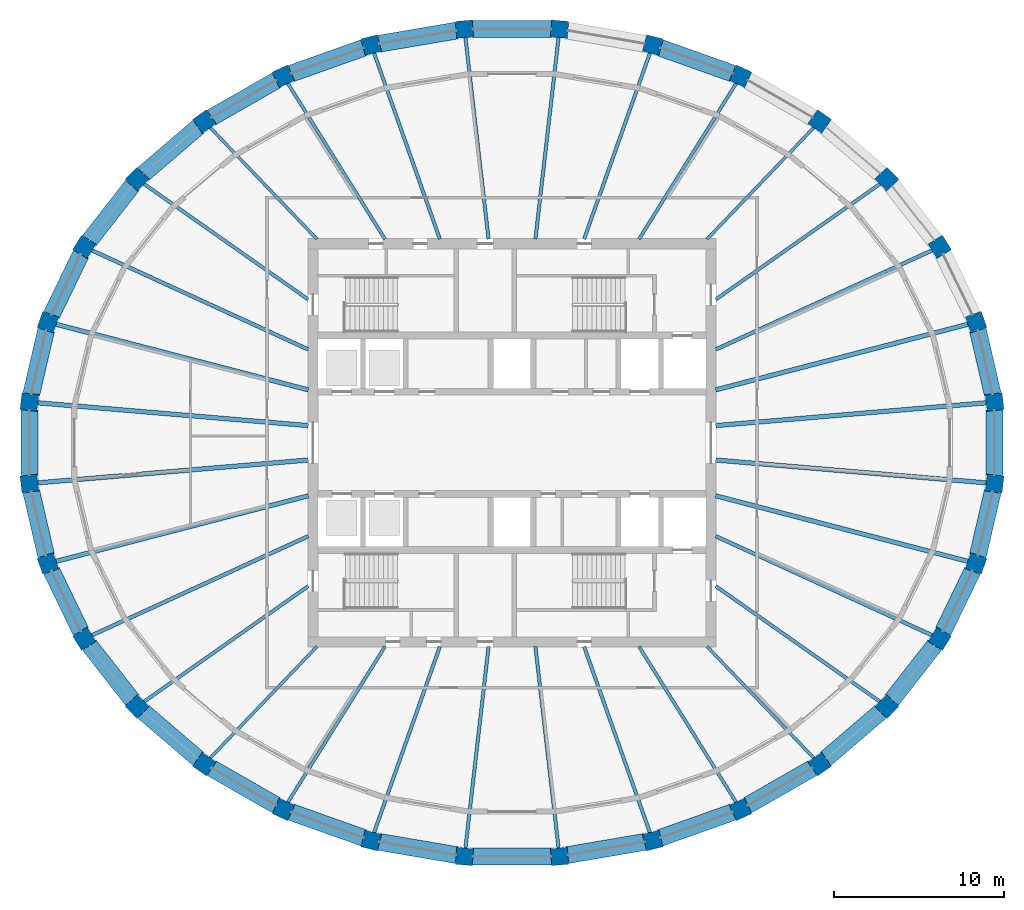
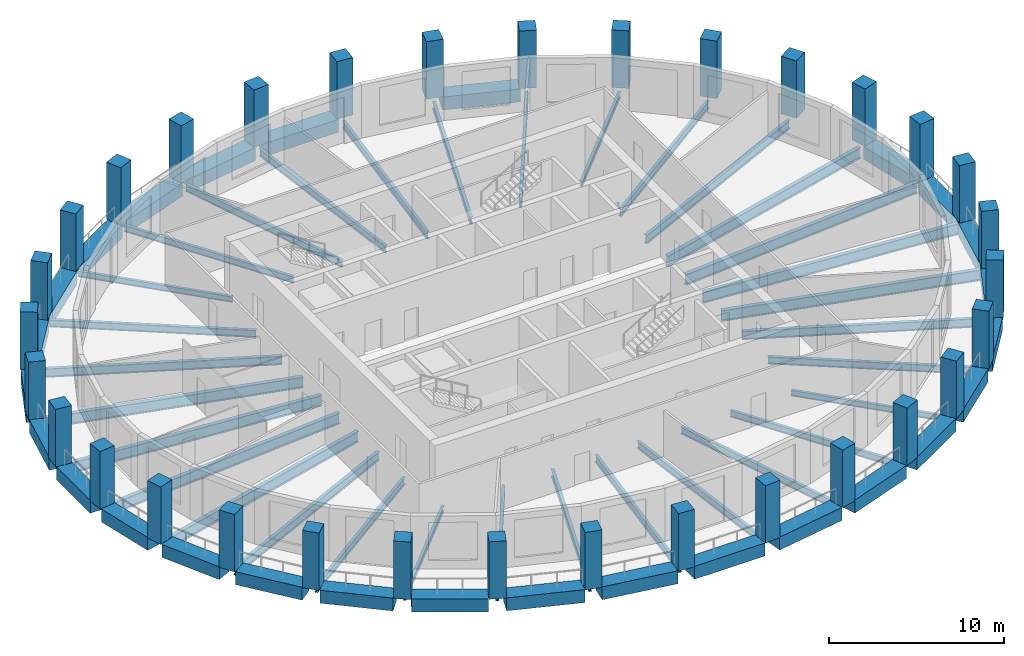
# One storey, part 1 of 10: 59 beams, 32 columns.
"""IFC4 building model written with IfcOpenShell, lengths in metres."""

from ifc_helpers import new_model, si_unit, direction, frame, origin, origin_2d, place, context, subcontext, project, spatial, rectangle, i_section, extrude, material, material_profile, profile_set, type_object, element, save


model = new_model("IFC4")

# Units and contexts
model_context = context("Model", 3, precision=1e-05, world=origin(), true_north=direction((0.0, 1.0)))
body_context = subcontext(model_context, "Body", "Model", "MODEL_VIEW")
ifc_project = project(units=[si_unit("LENGTHUNIT", "METRE"), si_unit("AREAUNIT", "SQUARE_METRE"), si_unit("VOLUMEUNIT", "CUBIC_METRE"), si_unit("PLANEANGLEUNIT", "RADIAN"), si_unit("MASSUNIT", "GRAM", prefix="KILO")], contexts=[model_context])

# Site, building, storey
site_placement = place(None, origin())
site = spatial("IfcSite", under=ifc_project, at=site_placement, CompositionType="ELEMENT")
building_placement = place(site_placement, origin())
building = spatial("IfcBuilding", under=site, at=building_placement, Name="Halqa Exchange Tower", CompositionType="ELEMENT")
storey_placement = place(building_placement, frame((0.0, 0.0, 320.300048828125)))
storey = spatial("IfcBuildingStorey", under=building, at=storey_placement, Name="L75", CompositionType="ELEMENT", Elevation=320.300048828125)

# Columns
ifc_material_1 = material(Name="Concrete C50/60", Category="concrete")
ifc_material_profile_1 = material_profile(ifc_material_1, rectangle(XDim=1.0, YDim=1.0, at=origin_2d()), Name="1000 x 1000")
ifc_profile_set_1 = profile_set([ifc_material_profile_1], Name="Concrete C50/60")
column_type = type_object("IfcColumnType", Name="RC ring column 1000 x 1000 C50/60", PredefinedType="COLUMN", material=ifc_profile_set_1)
for number, where, z_axis, x_axis, name in (
    (1, (28.36279296875, 2.394287109375, 0.0), (0.0, 0.0, 1.0), (-0.114160389816, 0.993462332148, 0.0), "Ring column 1"),
    (2, (27.272705078125, 7.09130859375, 0.0), (0.0, 0.0, 1.0), (-0.333624233576, 0.942706142321, 0.0), "Ring column 2"),
    (3, (25.134765625, 11.515625, 0.0), (0.0, 0.0, 1.0), (-0.529140496257, 0.848534227489, 0.0), "Ring column 3"),
    (4, (22.03076171875, 15.497314453125, 0.0), (0.0, 0.0, 1.0), (-0.691578612608, 0.722301199351, 0.0), "Ring column 4"),
    (5, (18.080078125, 18.883544921875, 0.0), (0.0, 0.0, 1.0), (-0.817906779671, 0.575350762377, 0.0), "Ring column 5"),
    (6, (13.434814453125, 21.544189453125, 0.0), (0.0, 0.0, 1.0), (-0.909128549752, 0.416515641994, 0.0), "Ring column 6"),
    (7, (8.273193359375, 23.376708984375, 0.0), (0.0, 0.0, 1.0), (-0.967819064366, 0.251647091481, 0.0), "Ring column 7"),
    (8, (2.79345703125, 24.31103515625, 0.0), (0.0, 0.0, 1.0), (-0.996455078514, 0.084126550533, 0.0), "Ring column 8"),
    (9, (-2.79345703125, 24.31103515625, 0.0), (0.0, 0.0, 1.0), (-0.996455078514, -0.084126550533, 0.0), "Ring column 9"),
    (10, (-8.273193359375, 23.376708984375, 0.0), (0.0, 0.0, 1.0), (-0.967819064366, -0.251647091481, 0.0), "Ring column 10"),
    (11, (-13.434814453125, 21.544189453125, 0.0), (0.0, 0.0, 1.0), (-0.909128549752, -0.416515641994, 0.0), "Ring column 11"),
    (12, (-18.080078125, 18.883544921875, 0.0), (0.0, 0.0, 1.0), (-0.817906779671, -0.575350762377, 0.0), "Ring column 12"),
    (13, (-22.03076171875, 15.497314453125, 0.0), (0.0, 0.0, 1.0), (-0.691578612608, -0.722301199351, 0.0), "Ring column 13"),
    (14, (-25.134765625, 11.515625, 0.0), (0.0, 0.0, 1.0), (-0.529140496257, -0.848534227489, 0.0), "Ring column 14"),
    (15, (-27.272705078125, 7.09130859375, 0.0), (0.0, 0.0, 1.0), (-0.333624233576, -0.942706142321, 0.0), "Ring column 15"),
    (16, (-28.36279296875, 2.394287109375, 0.0), (0.0, 0.0, 1.0), (-0.114160389816, -0.993462332148, 0.0), "Ring column 16"),
    (17, (-28.36279296875, -2.394287109375, 0.0), (0.0, 0.0, 1.0), (0.114160389816, -0.993462332148, 0.0), "Ring column 17"),
    (18, (-27.272705078125, -7.09130859375, 0.0), (0.0, 0.0, 1.0), (0.333624233576, -0.942706142321, 0.0), "Ring column 18"),
    (19, (-25.134765625, -11.515625, 0.0), (0.0, 0.0, 1.0), (0.529140496257, -0.848534227489, 0.0), "Ring column 19"),
    (20, (-22.03076171875, -15.497314453125, 0.0), (0.0, 0.0, 1.0), (0.691578612608, -0.722301199351, 0.0), "Ring column 20"),
    (21, (-18.080078125, -18.883544921875, 0.0), (0.0, 0.0, 1.0), (0.817906779671, -0.575350762377, 0.0), "Ring column 21"),
    (22, (-13.434814453125, -21.544189453125, 0.0), (0.0, 0.0, 1.0), (0.909128549752, -0.416515641994, 0.0), "Ring column 22"),
    (23, (-8.273193359375, -23.376708984375, 0.0), (0.0, 0.0, 1.0), (0.967819064366, -0.251647091481, 0.0), "Ring column 23"),
    (24, (-2.79345703125, -24.31103515625, 0.0), (0.0, 0.0, 1.0), (0.996455078514, -0.084126550533, 0.0), "Ring column 24"),
    (25, (2.79345703125, -24.31103515625, 0.0), (0.0, 0.0, 1.0), (0.996455078514, 0.084126550533, 0.0), "Ring column 25"),
    (26, (8.273193359375, -23.376708984375, 0.0), (0.0, 0.0, 1.0), (0.967819064366, 0.251647091481, 0.0), "Ring column 26"),
    (27, (13.434814453125, -21.544189453125, 0.0), (0.0, 0.0, 1.0), (0.909128549752, 0.416515641994, 0.0), "Ring column 27"),
    (28, (18.080078125, -18.883544921875, 0.0), (0.0, 0.0, 1.0), (0.817906779671, 0.575350762377, 0.0), "Ring column 28"),
    (29, (22.03076171875, -15.497314453125, 0.0), (0.0, 0.0, 1.0), (0.691578612608, 0.722301199351, 0.0), "Ring column 29"),
    (30, (25.134765625, -11.515625, 0.0), (0.0, 0.0, 1.0), (0.529140496257, 0.848534227489, 0.0), "Ring column 30"),
    (31, (27.272705078125, -7.09130859375, 0.0), (0.0, 0.0, 1.0), (0.333624233576, 0.942706142321, 0.0), "Ring column 31"),
    (32, (28.36279296875, -2.394287109375, 0.0), (0.0, 0.0, 1.0), (0.114160389816, 0.993462332148, 0.0), "Ring column 32"),
):
    element("IfcColumn", number, at=place(storey_placement, frame(where, z_axis=z_axis, x_axis=x_axis)), inside=storey, type_object=column_type, Name=name, PredefinedType="COLUMN", context=body_context, shape_type="SweptSolid", body=[
        extrude(rectangle(XDim=1.0, YDim=1.0, at=origin_2d()), origin(), (0.0, 0.0, 1.0), 4.0),
    ])

# Beams
ifc_material_2 = material(Name="Steel S355", Category="steel")
ifc_material_profile_2 = material_profile(ifc_material_2, i_section(OverallWidth=0.179931640625, OverallDepth=0.39990234375, WebThickness=0.008544921875, FlangeThickness=0.013427734375, FilletRadius=0.02099609375, at=origin_2d()), Name="IPE 400")
ifc_profile_set_2 = profile_set([ifc_material_profile_2], Name="Steel S355")
beam_type_1 = type_object("IfcBeamType", Name="Floor beam IPE 400", PredefinedType="BEAM", material=ifc_profile_set_2)
for number, where, z_axis, x_axis, name in (
    (33, (11.46240234375, 11.9716796875, -0.5), (0.691577100122, 0.722302647501, 0.0), (-0.722302647501, 0.691577100122, 0.0), "Radial beam 5"),
    (34, (-11.46240234375, 11.9716796875, -0.5), (-0.691577100122, 0.722302647501, 0.0), (-0.722302647501, -0.691577100122, 0.0), "Radial beam 12"),
    (35, (-11.46240234375, -11.9716796875, -0.5), (-0.691577100122, -0.722302647501, 0.0), (0.722302647501, -0.691577100122, 0.0), "Radial beam 21"),
    (36, (11.46240234375, -11.9716796875, -0.5), (0.691577100122, -0.722302647501, 0.0), (0.722302647501, 0.691577100122, 0.0), "Radial beam 28"),
):
    element("IfcBeam", number, at=place(storey_placement, frame(where, z_axis=z_axis, x_axis=x_axis)), inside=storey, type_object=beam_type_1, Name=name, PredefinedType="BEAM", context=body_context, shape_type="SweptSolid", body=[
        extrude(i_section(OverallWidth=0.179931640625, OverallDepth=0.39990234375, WebThickness=0.008544921875, FlangeThickness=0.013427734375, FilletRadius=0.02099609375, at=origin_2d()), origin(), (0.0, 0.0, 1.0), 9.193359375),
    ])
ifc_material_profile_3 = material_profile(ifc_material_2, i_section(OverallWidth=0.18994140625, OverallDepth=0.449951171875, WebThickness=0.009521484375, FlangeThickness=0.0146484375, FilletRadius=0.02099609375, at=origin_2d()), Name="IPE 450")
ifc_profile_set_3 = profile_set([ifc_material_profile_3], Name="Steel S355")
beam_type_2 = type_object("IfcBeamType", Name="Floor beam IPE 450", PredefinedType="BEAM", material=ifc_profile_set_3)
for number, where, z_axis, x_axis, name in (
    (37, (7.46630859375, 11.972900390625, -0.525146484375), (0.529135242535, 0.848537503654, 0.0), (-0.848537503654, 0.529135242535, 0.0), "Radial beam 6"),
    (38, (-7.46630859375, 11.972900390625, -0.525146484375), (-0.529135242535, 0.848537503654, 0.0), (-0.848537503654, -0.529135242535, 0.0), "Radial beam 11"),
    (39, (-7.46630859375, -11.972900390625, -0.525146484375), (-0.529135242535, -0.848537503654, 0.0), (0.848537503654, -0.529135242535, 0.0), "Radial beam 22"),
    (40, (7.46630859375, -11.972900390625, -0.525146484375), (0.529135242535, -0.848537503654, 0.0), (0.848537503654, 0.529135242535, 0.0), "Radial beam 27"),
):
    element("IfcBeam", number, at=place(storey_placement, frame(where, z_axis=z_axis, x_axis=x_axis)), inside=storey, type_object=beam_type_2, Name=name, PredefinedType="BEAM", context=body_context, shape_type="SweptSolid", body=[
        extrude(i_section(OverallWidth=0.18994140625, OverallDepth=0.449951171875, WebThickness=0.009521484375, FlangeThickness=0.0146484375, FilletRadius=0.02099609375, at=origin_2d()), origin(), (0.0, 0.0, 1.0), 10.90380859375),
    ])
ifc_material_profile_4 = material_profile(ifc_material_2, i_section(OverallWidth=0.199951171875, OverallDepth=0.5, WebThickness=0.01025390625, FlangeThickness=0.01611328125, FilletRadius=0.02099609375, at=origin_2d()), Name="IPE 500")
ifc_profile_set_4 = profile_set([ifc_material_profile_4], Name="Steel S355")
beam_type_3 = type_object("IfcBeamType", Name="Floor beam IPE 500", PredefinedType="BEAM", material=ifc_profile_set_4)
beam_1_placement = place(storey_placement, frame((11.971435546875, 8.421142578125, -0.550048828125), z_axis=(0.817909915289, 0.575346304822, 0.0), x_axis=(-0.575346304822, 0.817909915289, 0.0)))
element("IfcBeam", 41, at=beam_1_placement, inside=storey, type_object=beam_type_3, Name="Radial beam 4", PredefinedType="BEAM", context=body_context, shape_type="SweptSolid", body=[
    extrude(i_section(OverallWidth=0.199951171875, OverallDepth=0.5, WebThickness=0.01025390625, FlangeThickness=0.01611328125, FilletRadius=0.02099609375, at=origin_2d()), origin(), (0.0, 0.0, 1.0), 11.923095703125),
])
beam_2_placement = place(storey_placement, frame((4.237060546875, 11.97216796875, -0.550048828125), z_axis=(0.333610824629, 0.942710887648, 0.0), x_axis=(-0.942710887648, 0.333610824629, 0.0)))
element("IfcBeam", 42, at=beam_2_placement, inside=storey, type_object=beam_type_3, Name="Radial beam 7", PredefinedType="BEAM", context=body_context, shape_type="SweptSolid", body=[
    extrude(i_section(OverallWidth=0.199951171875, OverallDepth=0.5, WebThickness=0.01025390625, FlangeThickness=0.01611328125, FilletRadius=0.02099609375, at=origin_2d()), origin(), (0.0, 0.0, 1.0), 11.7236328125),
])
for number, where, z_axis, x_axis, name in (
    (43, (1.37548828125, 11.97119140625, -0.550048828125), (0.114158031936, 0.993462603093, 0.0), (-0.993462603093, 0.114158031936, 0.0), "Radial beam 8"),
    (44, (-1.37548828125, 11.97119140625, -0.550048828125), (-0.114158031936, 0.993462603093, 0.0), (-0.993462603093, -0.114158031936, 0.0), "Radial beam 9"),
):
    element("IfcBeam", number, at=place(storey_placement, frame(where, z_axis=z_axis, x_axis=x_axis)), inside=storey, type_object=beam_type_3, Name=name, PredefinedType="BEAM", context=body_context, shape_type="SweptSolid", body=[
        extrude(i_section(OverallWidth=0.199951171875, OverallDepth=0.5, WebThickness=0.01025390625, FlangeThickness=0.01611328125, FilletRadius=0.02099609375, at=origin_2d()), origin(), (0.0, 0.0, 1.0), 12.049072265625),
    ])
beam_3_placement = place(storey_placement, frame((-4.237060546875, 11.97216796875, -0.550048828125), z_axis=(-0.333610824629, 0.942710887648, 0.0), x_axis=(-0.942710887648, -0.333610824629, 0.0)))
element("IfcBeam", 45, at=beam_3_placement, inside=storey, type_object=beam_type_3, Name="Radial beam 10", PredefinedType="BEAM", context=body_context, shape_type="SweptSolid", body=[
    extrude(i_section(OverallWidth=0.199951171875, OverallDepth=0.5, WebThickness=0.01025390625, FlangeThickness=0.01611328125, FilletRadius=0.02099609375, at=origin_2d()), origin(), (0.0, 0.0, 1.0), 11.7236328125),
])
for number, where, z_axis, x_axis, name in (
    (46, (-11.971435546875, 8.421142578125, -0.550048828125), (-0.817909915289, 0.575346304822, 0.0), (-0.575346304822, -0.817909915289, 0.0), "Radial beam 13"),
    (47, (-11.971435546875, -8.421142578125, -0.550048828125), (-0.817909915289, -0.575346304822, 0.0), (0.575346304822, -0.817909915289, 0.0), "Radial beam 20"),
):
    element("IfcBeam", number, at=place(storey_placement, frame(where, z_axis=z_axis, x_axis=x_axis)), inside=storey, type_object=beam_type_3, Name=name, PredefinedType="BEAM", context=body_context, shape_type="SweptSolid", body=[
        extrude(i_section(OverallWidth=0.199951171875, OverallDepth=0.5, WebThickness=0.01025390625, FlangeThickness=0.01611328125, FilletRadius=0.02099609375, at=origin_2d()), origin(), (0.0, 0.0, 1.0), 11.923095703125),
    ])
beam_4_placement = place(storey_placement, frame((-4.237060546875, -11.97216796875, -0.550048828125), z_axis=(-0.333610824629, -0.942710887648, 0.0), x_axis=(0.942710887648, -0.333610824629, 0.0)))
element("IfcBeam", 48, at=beam_4_placement, inside=storey, type_object=beam_type_3, Name="Radial beam 23", PredefinedType="BEAM", context=body_context, shape_type="SweptSolid", body=[
    extrude(i_section(OverallWidth=0.199951171875, OverallDepth=0.5, WebThickness=0.01025390625, FlangeThickness=0.01611328125, FilletRadius=0.02099609375, at=origin_2d()), origin(), (0.0, 0.0, 1.0), 11.7236328125),
])
for number, where, z_axis, x_axis, name in (
    (49, (-1.37548828125, -11.97119140625, -0.550048828125), (-0.114158031936, -0.993462603093, 0.0), (0.993462603093, -0.114158031936, 0.0), "Radial beam 24"),
    (50, (1.37548828125, -11.97119140625, -0.550048828125), (0.114158031936, -0.993462603093, 0.0), (0.993462603093, 0.114158031936, 0.0), "Radial beam 25"),
):
    element("IfcBeam", number, at=place(storey_placement, frame(where, z_axis=z_axis, x_axis=x_axis)), inside=storey, type_object=beam_type_3, Name=name, PredefinedType="BEAM", context=body_context, shape_type="SweptSolid", body=[
        extrude(i_section(OverallWidth=0.199951171875, OverallDepth=0.5, WebThickness=0.01025390625, FlangeThickness=0.01611328125, FilletRadius=0.02099609375, at=origin_2d()), origin(), (0.0, 0.0, 1.0), 12.049072265625),
    ])
beam_5_placement = place(storey_placement, frame((4.237060546875, -11.97216796875, -0.550048828125), z_axis=(0.333610824629, -0.942710887648, 0.0), x_axis=(0.942710887648, 0.333610824629, 0.0)))
element("IfcBeam", 51, at=beam_5_placement, inside=storey, type_object=beam_type_3, Name="Radial beam 26", PredefinedType="BEAM", context=body_context, shape_type="SweptSolid", body=[
    extrude(i_section(OverallWidth=0.199951171875, OverallDepth=0.5, WebThickness=0.01025390625, FlangeThickness=0.01611328125, FilletRadius=0.02099609375, at=origin_2d()), origin(), (0.0, 0.0, 1.0), 11.7236328125),
])
beam_6_placement = place(storey_placement, frame((11.971435546875, -8.421142578125, -0.550048828125), z_axis=(0.817909915289, -0.575346304822, 0.0), x_axis=(0.575346304822, 0.817909915289, 0.0)))
element("IfcBeam", 52, at=beam_6_placement, inside=storey, type_object=beam_type_3, Name="Radial beam 29", PredefinedType="BEAM", context=body_context, shape_type="SweptSolid", body=[
    extrude(i_section(OverallWidth=0.199951171875, OverallDepth=0.5, WebThickness=0.01025390625, FlangeThickness=0.01611328125, FilletRadius=0.02099609375, at=origin_2d()), origin(), (0.0, 0.0, 1.0), 11.923095703125),
])
ifc_material_profile_5 = material_profile(ifc_material_2, i_section(OverallWidth=0.219970703125, OverallDepth=0.60009765625, WebThickness=0.011962890625, FlangeThickness=0.01904296875, FilletRadius=0.02392578125, at=origin_2d()), Name="IPE 600")
ifc_profile_set_5 = profile_set([ifc_material_profile_5], Name="Steel S355")
beam_type_4 = type_object("IfcBeamType", Name="Floor beam IPE 600", PredefinedType="BEAM", material=ifc_profile_set_5)
for number, where, z_axis, x_axis, name in (
    (53, (11.97216796875, 5.485107421875, -0.60009765625), (0.909129837919, 0.416512830302, 0.0), (-0.416512830302, 0.909129837919, 0.0), "Radial beam 3"),
    (54, (-11.97216796875, 5.485107421875, -0.60009765625), (-0.909129837919, 0.416512830302, 0.0), (-0.416512830302, -0.909129837919, 0.0), "Radial beam 14"),
    (55, (-11.97216796875, -5.485107421875, -0.60009765625), (-0.909129837919, -0.416512830302, 0.0), (0.416512830302, -0.909129837919, 0.0), "Radial beam 19"),
    (56, (11.97216796875, -5.485107421875, -0.60009765625), (0.909129837919, -0.416512830302, 0.0), (0.416512830302, 0.909129837919, 0.0), "Radial beam 30"),
):
    element("IfcBeam", number, at=place(storey_placement, frame(where, z_axis=z_axis, x_axis=x_axis)), inside=storey, type_object=beam_type_4, Name=name, PredefinedType="BEAM", context=body_context, shape_type="SweptSolid", body=[
        extrude(i_section(OverallWidth=0.219970703125, OverallDepth=0.60009765625, WebThickness=0.011962890625, FlangeThickness=0.01904296875, FilletRadius=0.02392578125, at=origin_2d()), origin(), (0.0, 0.0, 1.0), 14.102294921875),
    ])
ifc_material_profile_6 = material_profile(ifc_material_2, i_section(OverallWidth=0.264892578125, OverallDepth=0.7529296875, WebThickness=0.01318359375, FlangeThickness=0.01708984375, FilletRadius=0.01708984375, at=origin_2d()), Name="IPE 750x147")
ifc_profile_set_6 = profile_set([ifc_material_profile_6], Name="Steel S355")
beam_type_5 = type_object("IfcBeamType", Name="Floor beam IPE 750x147", PredefinedType="BEAM", material=ifc_profile_set_6)
beam_7_placement = place(storey_placement, frame((11.972900390625, 1.0107421875, -0.676513671875), z_axis=(0.996455843657, 0.08411748713, 0.0), x_axis=(-0.08411748713, 0.996455843657, 0.0)))
element("IfcBeam", 57, at=beam_7_placement, inside=storey, type_object=beam_type_5, Name="Radial beam 1", PredefinedType="BEAM", context=body_context, shape_type="SweptSolid", body=[
    extrude(i_section(OverallWidth=0.264892578125, OverallDepth=0.7529296875, WebThickness=0.01318359375, FlangeThickness=0.01708984375, FilletRadius=0.01708984375, at=origin_2d()), origin(), (0.0, 0.0, 1.0), 16.076171875),
])
for number, where, z_axis, x_axis, name in (
    (58, (11.97265625, 3.113037109375, -0.676513671875), (0.967821042963, 0.251639481794, 0.0), (-0.251639481794, 0.967821042963, 0.0), "Radial beam 2"),
    (59, (-11.97265625, 3.113037109375, -0.676513671875), (-0.967821042963, 0.251639481794, 0.0), (-0.251639481794, -0.967821042963, 0.0), "Radial beam 15"),
):
    element("IfcBeam", number, at=place(storey_placement, frame(where, z_axis=z_axis, x_axis=x_axis)), inside=storey, type_object=beam_type_5, Name=name, PredefinedType="BEAM", context=body_context, shape_type="SweptSolid", body=[
        extrude(i_section(OverallWidth=0.264892578125, OverallDepth=0.7529296875, WebThickness=0.01318359375, FlangeThickness=0.01708984375, FilletRadius=0.01708984375, at=origin_2d()), origin(), (0.0, 0.0, 1.0), 15.434814453125),
    ])
for number, where, z_axis, x_axis, name in (
    (60, (-11.972900390625, 1.0107421875, -0.676513671875), (-0.996455843657, 0.08411748713, 0.0), (-0.08411748713, -0.996455843657, 0.0), "Radial beam 16"),
    (61, (-11.972900390625, -1.0107421875, -0.676513671875), (-0.996455843657, -0.08411748713, 0.0), (0.08411748713, -0.996455843657, 0.0), "Radial beam 17"),
):
    element("IfcBeam", number, at=place(storey_placement, frame(where, z_axis=z_axis, x_axis=x_axis)), inside=storey, type_object=beam_type_5, Name=name, PredefinedType="BEAM", context=body_context, shape_type="SweptSolid", body=[
        extrude(i_section(OverallWidth=0.264892578125, OverallDepth=0.7529296875, WebThickness=0.01318359375, FlangeThickness=0.01708984375, FilletRadius=0.01708984375, at=origin_2d()), origin(), (0.0, 0.0, 1.0), 16.076171875),
    ])
for number, where, z_axis, x_axis, name in (
    (62, (-11.97265625, -3.113037109375, -0.676513671875), (-0.967821042963, -0.251639481794, 0.0), (0.251639481794, -0.967821042963, 0.0), "Radial beam 18"),
    (63, (11.97265625, -3.113037109375, -0.676513671875), (0.967821042963, -0.251639481794, 0.0), (0.251639481794, 0.967821042963, 0.0), "Radial beam 31"),
):
    element("IfcBeam", number, at=place(storey_placement, frame(where, z_axis=z_axis, x_axis=x_axis)), inside=storey, type_object=beam_type_5, Name=name, PredefinedType="BEAM", context=body_context, shape_type="SweptSolid", body=[
        extrude(i_section(OverallWidth=0.264892578125, OverallDepth=0.7529296875, WebThickness=0.01318359375, FlangeThickness=0.01708984375, FilletRadius=0.01708984375, at=origin_2d()), origin(), (0.0, 0.0, 1.0), 15.434814453125),
    ])
beam_8_placement = place(storey_placement, frame((11.972900390625, -1.0107421875, -0.676513671875), z_axis=(0.996455843657, -0.08411748713, 0.0), x_axis=(0.08411748713, 0.996455843657, 0.0)))
element("IfcBeam", 64, at=beam_8_placement, inside=storey, type_object=beam_type_5, Name="Radial beam 32", PredefinedType="BEAM", context=body_context, shape_type="SweptSolid", body=[
    extrude(i_section(OverallWidth=0.264892578125, OverallDepth=0.7529296875, WebThickness=0.01318359375, FlangeThickness=0.01708984375, FilletRadius=0.01708984375, at=origin_2d()), origin(), (0.0, 0.0, 1.0), 16.076171875),
])
ifc_material_3 = material(Name="Concrete C60/75", Category="concrete")
ifc_material_profile_7 = material_profile(ifc_material_3, rectangle(XDim=1.0, YDim=0.89990234375, at=origin_2d()), Name="1000 x 900")
ifc_profile_set_7 = profile_set([ifc_material_profile_7], Name="Concrete C60/75")
beam_type_6 = type_object("IfcBeamType", Name="RC spandrel beam 1000 x 900 C60/75", PredefinedType="SPANDREL", material=ifc_profile_set_7)
beam_9_placement = place(storey_placement, frame((28.25537109375, 2.857177734375, -0.449951171875), z_axis=(-0.226093384766, 0.974105631523, 0.0), x_axis=(-0.974105631523, -0.226093384766, 0.0)))
element("IfcBeam", 65, at=beam_9_placement, inside=storey, type_object=beam_type_6, Name="Spandrel 1", PredefinedType="SPANDREL", context=body_context, shape_type="SweptSolid", body=[
    extrude(rectangle(XDim=1.0, YDim=0.89990234375, at=origin_2d()), origin(), (0.0, 0.0, 1.0), 3.872314453125),
])
beam_10_placement = place(storey_placement, frame((12.98828125, 21.70263671875, -0.449951171875), z_axis=(-0.94236088808, 0.334598201755, 0.0), x_axis=(-0.334598201755, -0.94236088808, 0.0)))
element("IfcBeam", 66, at=beam_10_placement, inside=storey, type_object=beam_type_6, Name="Spandrel 6", PredefinedType="SPANDREL", context=body_context, shape_type="SweptSolid", body=[
    extrude(rectangle(XDim=1.0, YDim=0.89990234375, at=origin_2d()), origin(), (0.0, 0.0, 1.0), 4.530517578125),
])
beam_11_placement = place(storey_placement, frame((2.319580078125, 24.31103515625, -0.449951171875), z_axis=(-1.0, 0.0, 0.0), x_axis=(0.0, -1.0, 0.0)))
element("IfcBeam", 67, at=beam_11_placement, inside=storey, type_object=beam_type_6, Name="Spandrel 8", PredefinedType="SPANDREL", context=body_context, shape_type="SweptSolid", body=[
    extrude(rectangle(XDim=1.0, YDim=0.89990234375, at=origin_2d()), origin(), (0.0, 0.0, 1.0), 4.63916015625),
])
beam_12_placement = place(storey_placement, frame((-3.2607421875, 24.231201171875, -0.449951171875), z_axis=(-0.985773042695, -0.168081849987, 0.0), x_axis=(0.168081849987, -0.985773042695, 0.0)))
element("IfcBeam", 68, at=beam_12_placement, inside=storey, type_object=beam_type_6, Name="Spandrel 9", PredefinedType="SPANDREL", context=body_context, shape_type="SweptSolid", body=[
    extrude(rectangle(XDim=1.0, YDim=0.89990234375, at=origin_2d()), origin(), (0.0, 0.0, 1.0), 4.6103515625),
])
beam_13_placement = place(storey_placement, frame((-8.718994140625, 23.218505859375, -0.449951171875), z_axis=(-0.94236088808, -0.334598201755, 0.0), x_axis=(0.334598201755, -0.94236088808, 0.0)))
element("IfcBeam", 69, at=beam_13_placement, inside=storey, type_object=beam_type_6, Name="Spandrel 10", PredefinedType="SPANDREL", context=body_context, shape_type="SweptSolid", body=[
    extrude(rectangle(XDim=1.0, YDim=0.89990234375, at=origin_2d()), origin(), (0.0, 0.0, 1.0), 4.530517578125),
])
beam_14_placement = place(storey_placement, frame((-13.8466796875, 21.30810546875, -0.449951171875), z_axis=(-0.86778573249, -0.49693855001, 0.0), x_axis=(0.49693855001, -0.86778573249, 0.0)))
element("IfcBeam", 70, at=beam_14_placement, inside=storey, type_object=beam_type_6, Name="Spandrel 11", PredefinedType="SPANDREL", context=body_context, shape_type="SweptSolid", body=[
    extrude(rectangle(XDim=1.0, YDim=0.89990234375, at=origin_2d()), origin(), (0.0, 0.0, 1.0), 4.40478515625),
])
beam_15_placement = place(storey_placement, frame((-18.44091796875, 18.574462890625, -0.449951171875), z_axis=(-0.759232294843, -0.65081973116, 0.0), x_axis=(0.65081973116, -0.759232294843, 0.0)))
element("IfcBeam", 71, at=beam_15_placement, inside=storey, type_object=beam_type_6, Name="Spandrel 12", PredefinedType="SPANDREL", context=body_context, shape_type="SweptSolid", body=[
    extrude(rectangle(XDim=1.0, YDim=0.89990234375, at=origin_2d()), origin(), (0.0, 0.0, 1.0), 4.25390625),
])
beam_16_placement = place(storey_placement, frame((-22.322021484375, 15.123779296875, -0.449951171875), z_axis=(-0.61480594236, -0.788678421943, 0.0), x_axis=(0.788678421943, -0.61480594236, 0.0)))
element("IfcBeam", 72, at=beam_16_placement, inside=storey, type_object=beam_type_6, Name="Spandrel 13", PredefinedType="SPANDREL", context=body_context, shape_type="SweptSolid", body=[
    extrude(rectangle(XDim=1.0, YDim=0.89990234375, at=origin_2d()), origin(), (0.0, 0.0, 1.0), 4.10009765625),
])
beam_17_placement = place(storey_placement, frame((-25.34130859375, 11.088623046875, -0.449951171875), z_axis=(-0.43505216676, -0.900405248873, 0.0), x_axis=(0.900405248873, -0.43505216676, 0.0)))
element("IfcBeam", 73, at=beam_17_placement, inside=storey, type_object=beam_type_6, Name="Spandrel 14", PredefinedType="SPANDREL", context=body_context, shape_type="SweptSolid", body=[
    extrude(rectangle(XDim=1.0, YDim=0.89990234375, at=origin_2d()), origin(), (0.0, 0.0, 1.0), 3.964111328125),
])
beam_18_placement = place(storey_placement, frame((-27.3798828125, 6.629150390625, -0.449951171875), z_axis=(-0.226093384766, -0.974105631523, 0.0), x_axis=(0.974105631523, -0.226093384766, 0.0)))
element("IfcBeam", 74, at=beam_18_placement, inside=storey, type_object=beam_type_6, Name="Spandrel 15", PredefinedType="SPANDREL", context=body_context, shape_type="SweptSolid", body=[
    extrude(rectangle(XDim=1.0, YDim=0.89990234375, at=origin_2d()), origin(), (0.0, 0.0, 1.0), 3.872314453125),
])
beam_19_placement = place(storey_placement, frame((-28.36279296875, 1.919189453125, -0.449951171875), z_axis=(0.0, -1.0, 0.0), x_axis=(1.0, 0.0, 0.0)))
element("IfcBeam", 75, at=beam_19_placement, inside=storey, type_object=beam_type_6, Name="Spandrel 16", PredefinedType="SPANDREL", context=body_context, shape_type="SweptSolid", body=[
    extrude(rectangle(XDim=1.0, YDim=0.89990234375, at=origin_2d()), origin(), (0.0, 0.0, 1.0), 3.83837890625),
])
beam_20_placement = place(storey_placement, frame((-28.25537109375, -2.857177734375, -0.449951171875), z_axis=(0.226093384766, -0.974105631523, 0.0), x_axis=(0.974105631523, 0.226093384766, 0.0)))
element("IfcBeam", 76, at=beam_20_placement, inside=storey, type_object=beam_type_6, Name="Spandrel 17", PredefinedType="SPANDREL", context=body_context, shape_type="SweptSolid", body=[
    extrude(rectangle(XDim=1.0, YDim=0.89990234375, at=origin_2d()), origin(), (0.0, 0.0, 1.0), 3.872314453125),
])
beam_21_placement = place(storey_placement, frame((-27.06591796875, -7.519287109375, -0.449951171875), z_axis=(0.43505216676, -0.900405248873, 0.0), x_axis=(0.900405248873, 0.43505216676, 0.0)))
element("IfcBeam", 77, at=beam_21_placement, inside=storey, type_object=beam_type_6, Name="Spandrel 18", PredefinedType="SPANDREL", context=body_context, shape_type="SweptSolid", body=[
    extrude(rectangle(XDim=1.0, YDim=0.89990234375, at=origin_2d()), origin(), (0.0, 0.0, 1.0), 3.964111328125),
])
beam_22_placement = place(storey_placement, frame((-24.8427734375, -11.89013671875, -0.449951171875), z_axis=(0.61480594236, -0.788678421943, 0.0), x_axis=(0.788678421943, 0.61480594236, 0.0)))
element("IfcBeam", 78, at=beam_22_placement, inside=storey, type_object=beam_type_6, Name="Spandrel 19", PredefinedType="SPANDREL", context=body_context, shape_type="SweptSolid", body=[
    extrude(rectangle(XDim=1.0, YDim=0.89990234375, at=origin_2d()), origin(), (0.0, 0.0, 1.0), 4.10009765625),
])
beam_23_placement = place(storey_placement, frame((-21.670654296875, -15.805908203125, -0.449951171875), z_axis=(0.759232294843, -0.65081973116, 0.0), x_axis=(0.65081973116, 0.759232294843, 0.0)))
element("IfcBeam", 79, at=beam_23_placement, inside=storey, type_object=beam_type_6, Name="Spandrel 20", PredefinedType="SPANDREL", context=body_context, shape_type="SweptSolid", body=[
    extrude(rectangle(XDim=1.0, YDim=0.89990234375, at=origin_2d()), origin(), (0.0, 0.0, 1.0), 4.25390625),
])
beam_24_placement = place(storey_placement, frame((-17.669189453125, -19.119140625, -0.449951171875), z_axis=(0.86778573249, -0.49693855001, 0.0), x_axis=(0.49693855001, 0.86778573249, 0.0)))
element("IfcBeam", 80, at=beam_24_placement, inside=storey, type_object=beam_type_6, Name="Spandrel 21", PredefinedType="SPANDREL", context=body_context, shape_type="SweptSolid", body=[
    extrude(rectangle(XDim=1.0, YDim=0.89990234375, at=origin_2d()), origin(), (0.0, 0.0, 1.0), 4.40478515625),
])
beam_25_placement = place(storey_placement, frame((-12.98828125, -21.70263671875, -0.449951171875), z_axis=(0.94236088808, -0.334598201755, 0.0), x_axis=(0.334598201755, 0.94236088808, 0.0)))
element("IfcBeam", 81, at=beam_25_placement, inside=storey, type_object=beam_type_6, Name="Spandrel 22", PredefinedType="SPANDREL", context=body_context, shape_type="SweptSolid", body=[
    extrude(rectangle(XDim=1.0, YDim=0.89990234375, at=origin_2d()), origin(), (0.0, 0.0, 1.0), 4.530517578125),
])
beam_26_placement = place(storey_placement, frame((-7.805419921875, -23.456298828125, -0.449951171875), z_axis=(0.985773042695, -0.168081849987, 0.0), x_axis=(0.168081849987, 0.985773042695, 0.0)))
element("IfcBeam", 82, at=beam_26_placement, inside=storey, type_object=beam_type_6, Name="Spandrel 23", PredefinedType="SPANDREL", context=body_context, shape_type="SweptSolid", body=[
    extrude(rectangle(XDim=1.0, YDim=0.89990234375, at=origin_2d()), origin(), (0.0, 0.0, 1.0), 4.6103515625),
])
beam_27_placement = place(storey_placement, frame((-2.319580078125, -24.31103515625, -0.449951171875), z_axis=(1.0, 0.0, 0.0), x_axis=(0.0, 1.0, 0.0)))
element("IfcBeam", 83, at=beam_27_placement, inside=storey, type_object=beam_type_6, Name="Spandrel 24", PredefinedType="SPANDREL", context=body_context, shape_type="SweptSolid", body=[
    extrude(rectangle(XDim=1.0, YDim=0.89990234375, at=origin_2d()), origin(), (0.0, 0.0, 1.0), 4.63916015625),
])
beam_28_placement = place(storey_placement, frame((3.2607421875, -24.231201171875, -0.449951171875), z_axis=(0.985773042695, 0.168081849987, 0.0), x_axis=(-0.168081849987, 0.985773042695, 0.0)))
element("IfcBeam", 84, at=beam_28_placement, inside=storey, type_object=beam_type_6, Name="Spandrel 25", PredefinedType="SPANDREL", context=body_context, shape_type="SweptSolid", body=[
    extrude(rectangle(XDim=1.0, YDim=0.89990234375, at=origin_2d()), origin(), (0.0, 0.0, 1.0), 4.6103515625),
])
beam_29_placement = place(storey_placement, frame((8.718994140625, -23.218505859375, -0.449951171875), z_axis=(0.94236088808, 0.334598201755, 0.0), x_axis=(-0.334598201755, 0.94236088808, 0.0)))
element("IfcBeam", 85, at=beam_29_placement, inside=storey, type_object=beam_type_6, Name="Spandrel 26", PredefinedType="SPANDREL", context=body_context, shape_type="SweptSolid", body=[
    extrude(rectangle(XDim=1.0, YDim=0.89990234375, at=origin_2d()), origin(), (0.0, 0.0, 1.0), 4.530517578125),
])
beam_30_placement = place(storey_placement, frame((13.8466796875, -21.30810546875, -0.449951171875), z_axis=(0.86778573249, 0.49693855001, 0.0), x_axis=(-0.49693855001, 0.86778573249, 0.0)))
element("IfcBeam", 86, at=beam_30_placement, inside=storey, type_object=beam_type_6, Name="Spandrel 27", PredefinedType="SPANDREL", context=body_context, shape_type="SweptSolid", body=[
    extrude(rectangle(XDim=1.0, YDim=0.89990234375, at=origin_2d()), origin(), (0.0, 0.0, 1.0), 4.40478515625),
])
beam_31_placement = place(storey_placement, frame((18.44091796875, -18.574462890625, -0.449951171875), z_axis=(0.759232294843, 0.65081973116, 0.0), x_axis=(-0.65081973116, 0.759232294843, 0.0)))
element("IfcBeam", 87, at=beam_31_placement, inside=storey, type_object=beam_type_6, Name="Spandrel 28", PredefinedType="SPANDREL", context=body_context, shape_type="SweptSolid", body=[
    extrude(rectangle(XDim=1.0, YDim=0.89990234375, at=origin_2d()), origin(), (0.0, 0.0, 1.0), 4.25390625),
])
beam_32_placement = place(storey_placement, frame((22.322021484375, -15.123779296875, -0.449951171875), z_axis=(0.61480594236, 0.788678421943, 0.0), x_axis=(-0.788678421943, 0.61480594236, 0.0)))
element("IfcBeam", 88, at=beam_32_placement, inside=storey, type_object=beam_type_6, Name="Spandrel 29", PredefinedType="SPANDREL", context=body_context, shape_type="SweptSolid", body=[
    extrude(rectangle(XDim=1.0, YDim=0.89990234375, at=origin_2d()), origin(), (0.0, 0.0, 1.0), 4.10009765625),
])
beam_33_placement = place(storey_placement, frame((25.34130859375, -11.088623046875, -0.449951171875), z_axis=(0.43505216676, 0.900405248873, 0.0), x_axis=(-0.900405248873, 0.43505216676, 0.0)))
element("IfcBeam", 89, at=beam_33_placement, inside=storey, type_object=beam_type_6, Name="Spandrel 30", PredefinedType="SPANDREL", context=body_context, shape_type="SweptSolid", body=[
    extrude(rectangle(XDim=1.0, YDim=0.89990234375, at=origin_2d()), origin(), (0.0, 0.0, 1.0), 3.964111328125),
])
beam_34_placement = place(storey_placement, frame((27.3798828125, -6.629150390625, -0.449951171875), z_axis=(0.226093384766, 0.974105631523, 0.0), x_axis=(-0.974105631523, 0.226093384766, 0.0)))
element("IfcBeam", 90, at=beam_34_placement, inside=storey, type_object=beam_type_6, Name="Spandrel 31", PredefinedType="SPANDREL", context=body_context, shape_type="SweptSolid", body=[
    extrude(rectangle(XDim=1.0, YDim=0.89990234375, at=origin_2d()), origin(), (0.0, 0.0, 1.0), 3.872314453125),
])
beam_35_placement = place(storey_placement, frame((28.36279296875, -1.919189453125, -0.449951171875), z_axis=(0.0, 1.0, 0.0), x_axis=(-1.0, 0.0, 0.0)))
element("IfcBeam", 91, at=beam_35_placement, inside=storey, type_object=beam_type_6, Name="Spandrel 32", PredefinedType="SPANDREL", context=body_context, shape_type="SweptSolid", body=[
    extrude(rectangle(XDim=1.0, YDim=0.89990234375, at=origin_2d()), origin(), (0.0, 0.0, 1.0), 3.83837890625),
])

save(model, "model.ifc")
